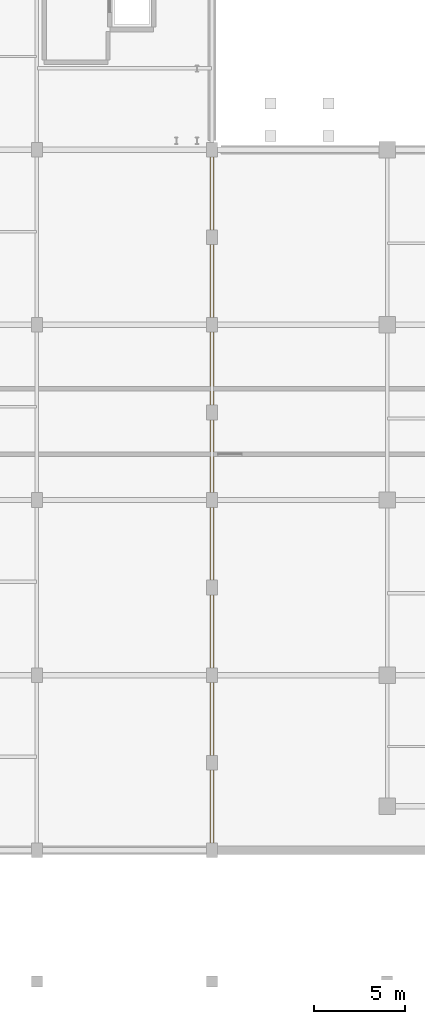
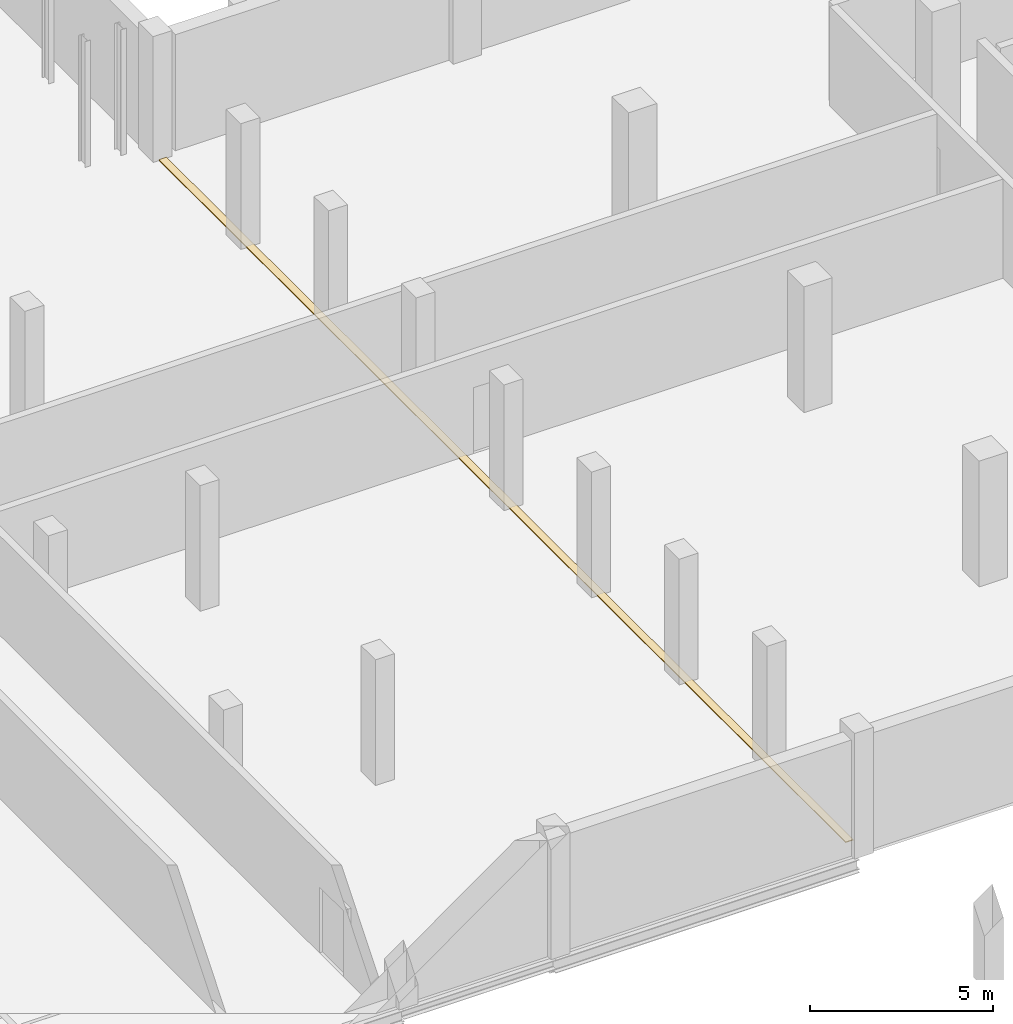
# One storey, part 41 of 47: 1 covering.
"""IFC4 building model written with IfcOpenShell, lengths in metres."""

from ifc_helpers import new_model, si_unit, direction, frame, origin, place, context, subcontext, project, spatial, polyline, outline, extrude, material, layer, layer_set, type_object, element, save


model = new_model("IFC4")

# Units and contexts
model_context = context("Model", 3, precision=1e-05, world=origin(), true_north=direction((0.0, 1.0)))
body_context = subcontext(model_context, "Body", "Model", "MODEL_VIEW")
ifc_project = project(units=[si_unit("LENGTHUNIT", "METRE"), si_unit("AREAUNIT", "SQUARE_METRE"), si_unit("VOLUMEUNIT", "CUBIC_METRE"), si_unit("PLANEANGLEUNIT", "RADIAN"), si_unit("MASSUNIT", "GRAM", prefix="KILO")], contexts=[model_context])

# Site, building, storey
site_placement = place(None, origin())
site = spatial("IfcSite", under=ifc_project, at=site_placement, CompositionType="ELEMENT")
building_placement = place(site_placement, origin())
building = spatial("IfcBuilding", under=site, at=building_placement, Name="Zevrakil Square Congress Hotel", CompositionType="ELEMENT")
storey_placement = place(building_placement, frame((0.0, 0.0, -4.199951171875)))
storey = spatial("IfcBuildingStorey", under=building, at=storey_placement, Name="B1", CompositionType="ELEMENT", Elevation=-4.199951171875)

# Covering
ifc_material = material(Name="Honed Addis Basalt Stone Flooring", Category="masonry")
ifc_layer = layer(ifc_material, 0.030029296875)
ifc_layer_set = layer_set([ifc_layer], Name="Honed Addis Basalt Stone Flooring")
covering_type = type_object("IfcCoveringType", Name="COV-FLOR-BASALT-030", PredefinedType="FLOORING", material=ifc_layer_set)
covering_placement = place(storey_placement, origin())
element("IfcCovering", 1, at=covering_placement, inside=storey, type_object=covering_type, Name="B1 flush movement-joint floor cover plate 04", PredefinedType="FLOORING", context=body_context, shape_type="SweptSolid", body=[
    extrude(outline(polyline([(117.47998046875, 7.60009765625), (117.719970703125, 7.60009765625), (117.719970703125, 45.199951171875), (117.47998046875, 45.199951171875), (117.47998046875, 7.60009765625)])), origin(), (0.0, 0.0, 1.0), 0.030029296875),
])

save(model, "model.ifc")
